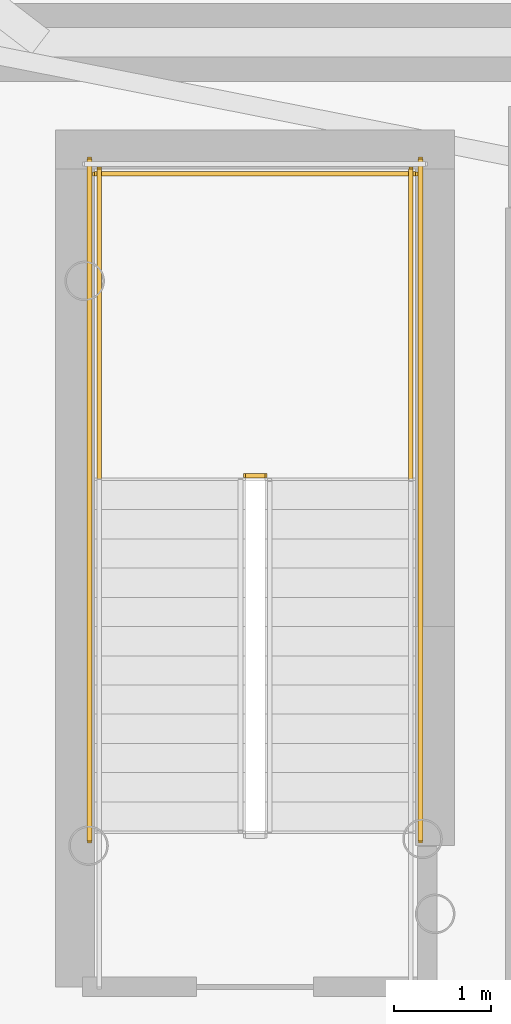
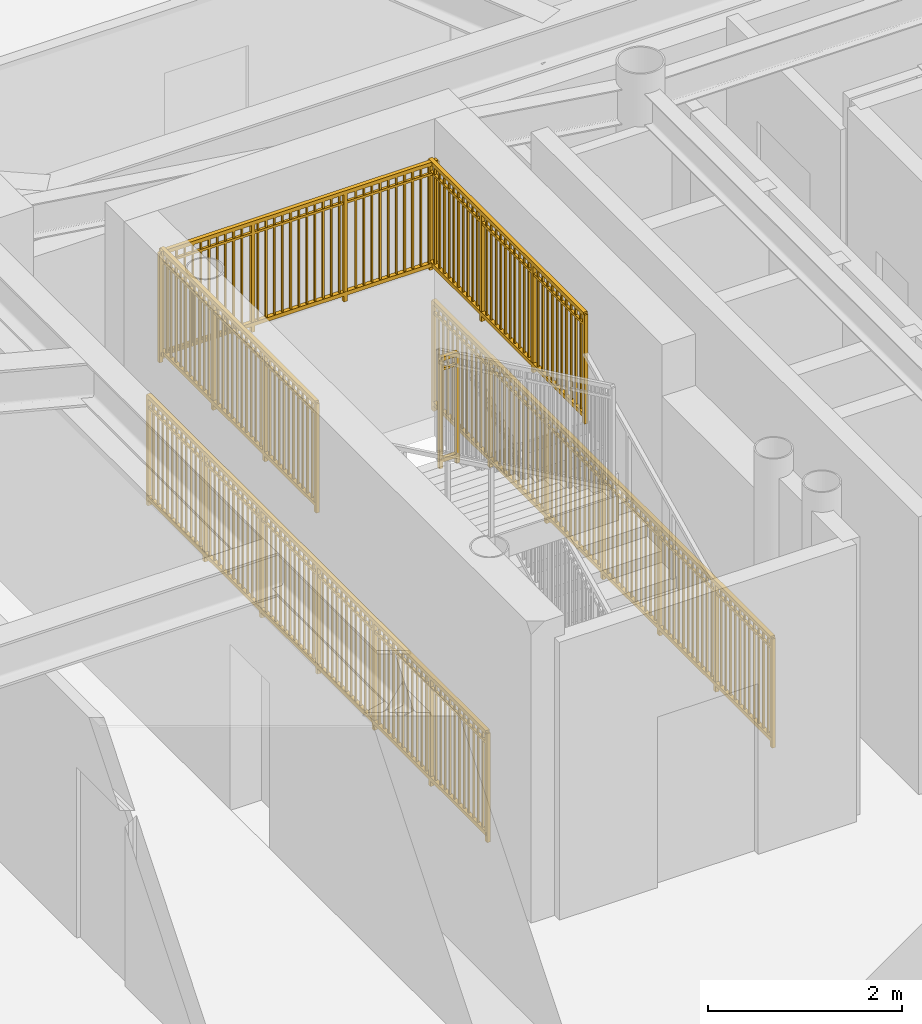
# One storey, part 17 of 21: 6 railings.
"""IFC4 building model written with IfcOpenShell, lengths in metres."""

from ifc_helpers import new_model, si_unit, direction, frame, origin, origin_2d, place, context, subcontext, project, spatial, rectangle, extrude, source, transform, mapped, material, type_object, element, save


model = new_model("IFC4")

# Units and contexts
model_context = context("Model", 3, precision=1e-05, world=origin(), true_north=direction((0.0, 1.0)))
body_context = subcontext(model_context, "Body", "Model", "MODEL_VIEW")
ifc_project = project(units=[si_unit("LENGTHUNIT", "METRE"), si_unit("AREAUNIT", "SQUARE_METRE"), si_unit("VOLUMEUNIT", "CUBIC_METRE"), si_unit("PLANEANGLEUNIT", "RADIAN"), si_unit("MASSUNIT", "GRAM", prefix="KILO")], contexts=[model_context])

# Site, building, storey
site_placement = place(None, origin())
site = spatial("IfcSite", under=ifc_project, at=site_placement, CompositionType="ELEMENT")
building_placement = place(site_placement, origin())
building = spatial("IfcBuilding", under=site, at=building_placement, Name="Linh Dai School and Residence Tower", CompositionType="ELEMENT")
storey_placement = place(building_placement, frame((0.0, 0.0, 97.199951171875)))
storey = spatial("IfcBuildingStorey", under=building, at=storey_placement, Name="L22", CompositionType="ELEMENT", Elevation=97.199951171875)

# Railings
ifc_material = material(Name="Structural Steel S355JR", Category="steel")
railing_type = type_object("IfcRailingType", Name="RL-ST-GUARD-1400", PredefinedType="GUARDRAIL", material=ifc_material)
shared_shape_1 = source(origin(), body_context, "Body", "SweptSolid", [
    extrude(rectangle(XDim=0.048095703125, YDim=0.048095703125, at=origin_2d()), frame((0.0, 0.0, 1.3759765625), z_axis=(-1.0, 0.0, 0.0), x_axis=(0.0, -1.0, 0.0)), (0.0, 0.0, 1.0), 0.199951171875),
    extrude(rectangle(XDim=0.048095703125, YDim=0.048095703125, at=origin_2d()), frame((0.0, 0.0, 0.10009765625), z_axis=(-1.0, 0.0, 0.0), x_axis=(0.0, -1.0, 0.0)), (0.0, 0.0, 1.0), 0.199951171875),
    extrude(rectangle(XDim=0.030029296875, YDim=0.030029296875, at=origin_2d()), frame((0.0, 0.0, 1.239990234375), z_axis=(-1.0, 0.0, 0.0), x_axis=(0.0, -1.0, 0.0)), (0.0, 0.0, 1.0), 0.199951171875),
    extrude(rectangle(XDim=0.0419921875, YDim=0.0419921875, at=origin_2d()), origin(), (0.0, 0.0, 1.0), 1.3759765625),
    extrude(rectangle(XDim=0.0419921875, YDim=0.0419921875, at=origin_2d()), frame((-0.199951171875, 0.0, 0.0)), (0.0, 0.0, 1.0), 1.3759765625),
])
railing_1_placement = place(storey_placement, frame((29.429931640625, 29.35009765625, 1.875)))
element("IfcRailing", 1, at=railing_1_placement, inside=storey, type_object=railing_type, Name="L22 ST1 stair guard 2", PredefinedType="GUARDRAIL", context=body_context, shape_type="MappedRepresentation", body=[
    mapped(shared_shape_1, transform((0.0, 0.0, 0.0), x_axis=(1.0, 0.0, 0.0), y_axis=(0.0, 1.0, 0.0), z_axis=(0.0, 0.0, 1.0), scale=1.0)),
])
shared_shape_2 = source(origin(), body_context, "Body", "SweptSolid", [
    extrude(rectangle(XDim=0.048095703125, YDim=0.048095703125, at=origin_2d()), frame((0.0, 0.0, 1.3759765625), z_axis=(-1.0, 0.0, 0.0), x_axis=(0.0, -1.0, 0.0)), (0.0, 0.0, 1.0), 3.300048828125),
    extrude(rectangle(XDim=0.048095703125, YDim=0.048095703125, at=origin_2d()), frame((0.0, 0.0, 0.10009765625), z_axis=(-1.0, 0.0, 0.0), x_axis=(0.0, -1.0, 0.0)), (0.0, 0.0, 1.0), 3.300048828125),
    extrude(rectangle(XDim=0.030029296875, YDim=0.030029296875, at=origin_2d()), frame((0.0, 0.0, 1.239990234375), z_axis=(-1.0, 0.0, 0.0), x_axis=(0.0, -1.0, 0.0)), (0.0, 0.0, 1.0), 3.300048828125),
    extrude(rectangle(XDim=0.02001953125, YDim=0.02001953125, at=origin_2d()), frame((-0.09716796875, 0.0, 0.10009765625)), (0.0, 0.0, 1.0), 1.251708984375),
    extrude(rectangle(XDim=0.02001953125, YDim=0.02001953125, at=origin_2d()), frame((-0.194091796875, 0.0, 0.10009765625)), (0.0, 0.0, 1.0), 1.251708984375),
    extrude(rectangle(XDim=0.02001953125, YDim=0.02001953125, at=origin_2d()), frame((-0.291259765625, 0.0, 0.10009765625)), (0.0, 0.0, 1.0), 1.251708984375),
    extrude(rectangle(XDim=0.02001953125, YDim=0.02001953125, at=origin_2d()), frame((-0.38818359375, 0.0, 0.10009765625)), (0.0, 0.0, 1.0), 1.251708984375),
    extrude(rectangle(XDim=0.02001953125, YDim=0.02001953125, at=origin_2d()), frame((-0.4853515625, 0.0, 0.10009765625)), (0.0, 0.0, 1.0), 1.251708984375),
    extrude(rectangle(XDim=0.02001953125, YDim=0.02001953125, at=origin_2d()), frame((-0.582275390625, 0.0, 0.10009765625)), (0.0, 0.0, 1.0), 1.251708984375),
    extrude(rectangle(XDim=0.02001953125, YDim=0.02001953125, at=origin_2d()), frame((-0.679443359375, 0.0, 0.10009765625)), (0.0, 0.0, 1.0), 1.251708984375),
    extrude(rectangle(XDim=0.02001953125, YDim=0.02001953125, at=origin_2d()), frame((-0.7763671875, 0.0, 0.10009765625)), (0.0, 0.0, 1.0), 1.251708984375),
    extrude(rectangle(XDim=0.02001953125, YDim=0.02001953125, at=origin_2d()), frame((-0.87353515625, 0.0, 0.10009765625)), (0.0, 0.0, 1.0), 1.251708984375),
    extrude(rectangle(XDim=0.02001953125, YDim=0.02001953125, at=origin_2d()), frame((-0.970703125, 0.0, 0.10009765625)), (0.0, 0.0, 1.0), 1.251708984375),
    extrude(rectangle(XDim=0.02001953125, YDim=0.02001953125, at=origin_2d()), frame((-1.164794921875, 0.0, 0.10009765625)), (0.0, 0.0, 1.0), 1.251708984375),
    extrude(rectangle(XDim=0.02001953125, YDim=0.02001953125, at=origin_2d()), frame((-1.26171875, 0.0, 0.10009765625)), (0.0, 0.0, 1.0), 1.251708984375),
    extrude(rectangle(XDim=0.02001953125, YDim=0.02001953125, at=origin_2d()), frame((-1.35888671875, 0.0, 0.10009765625)), (0.0, 0.0, 1.0), 1.251708984375),
    extrude(rectangle(XDim=0.02001953125, YDim=0.02001953125, at=origin_2d()), frame((-1.455810546875, 0.0, 0.10009765625)), (0.0, 0.0, 1.0), 1.251708984375),
    extrude(rectangle(XDim=0.02001953125, YDim=0.02001953125, at=origin_2d()), frame((-1.552978515625, 0.0, 0.10009765625)), (0.0, 0.0, 1.0), 1.251708984375),
    extrude(rectangle(XDim=0.02001953125, YDim=0.02001953125, at=origin_2d()), frame((-1.64990234375, 0.0, 0.10009765625)), (0.0, 0.0, 1.0), 1.251708984375),
    extrude(rectangle(XDim=0.02001953125, YDim=0.02001953125, at=origin_2d()), frame((-1.7470703125, 0.0, 0.10009765625)), (0.0, 0.0, 1.0), 1.251708984375),
    extrude(rectangle(XDim=0.02001953125, YDim=0.02001953125, at=origin_2d()), frame((-1.84423828125, 0.0, 0.10009765625)), (0.0, 0.0, 1.0), 1.251708984375),
    extrude(rectangle(XDim=0.02001953125, YDim=0.02001953125, at=origin_2d()), frame((-1.941162109375, 0.0, 0.10009765625)), (0.0, 0.0, 1.0), 1.251708984375),
    extrude(rectangle(XDim=0.02001953125, YDim=0.02001953125, at=origin_2d()), frame((-2.038330078125, 0.0, 0.10009765625)), (0.0, 0.0, 1.0), 1.251708984375),
    extrude(rectangle(XDim=0.02001953125, YDim=0.02001953125, at=origin_2d()), frame((-2.13525390625, 0.0, 0.10009765625)), (0.0, 0.0, 1.0), 1.251708984375),
    extrude(rectangle(XDim=0.02001953125, YDim=0.02001953125, at=origin_2d()), frame((-2.329345703125, 0.0, 0.10009765625)), (0.0, 0.0, 1.0), 1.251708984375),
    extrude(rectangle(XDim=0.02001953125, YDim=0.02001953125, at=origin_2d()), frame((-2.426513671875, 0.0, 0.10009765625)), (0.0, 0.0, 1.0), 1.251708984375),
    extrude(rectangle(XDim=0.02001953125, YDim=0.02001953125, at=origin_2d()), frame((-2.523681640625, 0.0, 0.10009765625)), (0.0, 0.0, 1.0), 1.251708984375),
    extrude(rectangle(XDim=0.02001953125, YDim=0.02001953125, at=origin_2d()), frame((-2.62060546875, 0.0, 0.10009765625)), (0.0, 0.0, 1.0), 1.251708984375),
    extrude(rectangle(XDim=0.02001953125, YDim=0.02001953125, at=origin_2d()), frame((-2.7177734375, 0.0, 0.10009765625)), (0.0, 0.0, 1.0), 1.251708984375),
    extrude(rectangle(XDim=0.02001953125, YDim=0.02001953125, at=origin_2d()), frame((-2.814697265625, 0.0, 0.10009765625)), (0.0, 0.0, 1.0), 1.251708984375),
    extrude(rectangle(XDim=0.02001953125, YDim=0.02001953125, at=origin_2d()), frame((-2.911865234375, 0.0, 0.10009765625)), (0.0, 0.0, 1.0), 1.251708984375),
    extrude(rectangle(XDim=0.02001953125, YDim=0.02001953125, at=origin_2d()), frame((-3.0087890625, 0.0, 0.10009765625)), (0.0, 0.0, 1.0), 1.251708984375),
    extrude(rectangle(XDim=0.02001953125, YDim=0.02001953125, at=origin_2d()), frame((-3.10595703125, 0.0, 0.10009765625)), (0.0, 0.0, 1.0), 1.251708984375),
    extrude(rectangle(XDim=0.02001953125, YDim=0.02001953125, at=origin_2d()), frame((-3.202880859375, 0.0, 0.10009765625)), (0.0, 0.0, 1.0), 1.251708984375),
    extrude(rectangle(XDim=0.0419921875, YDim=0.0419921875, at=origin_2d()), origin(), (0.0, 0.0, 1.0), 1.3759765625),
    extrude(rectangle(XDim=0.0419921875, YDim=0.0419921875, at=origin_2d()), frame((-1.10009765625, 0.0, 0.0)), (0.0, 0.0, 1.0), 1.3759765625),
    extrude(rectangle(XDim=0.0419921875, YDim=0.0419921875, at=origin_2d()), frame((-2.199951171875, 0.0, 0.0)), (0.0, 0.0, 1.0), 1.3759765625),
    extrude(rectangle(XDim=0.0419921875, YDim=0.0419921875, at=origin_2d()), frame((-3.300048828125, 0.0, 0.0)), (0.0, 0.0, 1.0), 1.3759765625),
])
railing_2_placement = place(storey_placement, frame((30.97998046875, 32.449951171875, 1.875)))
element("IfcRailing", 2, at=railing_2_placement, inside=storey, type_object=railing_type, Name="L22 ST1 stair guard 5", PredefinedType="GUARDRAIL", context=body_context, shape_type="MappedRepresentation", body=[
    mapped(shared_shape_2, transform((0.0, 0.0, 0.0), x_axis=(1.0, 0.0, 0.0), y_axis=(0.0, 1.0, 0.0), z_axis=(0.0, 0.0, 1.0), scale=1.0)),
])
shared_shape_3 = source(origin(), body_context, "Body", "SweptSolid", [
    extrude(rectangle(XDim=0.048095703125, YDim=0.048095703125, at=origin_2d()), frame((0.0, 0.0, 1.3759765625), z_axis=(0.0, 1.0, 0.0), x_axis=(-1.0, 0.0, 0.0)), (0.0, 0.0, 1.0), 7.0),
    extrude(rectangle(XDim=0.048095703125, YDim=0.048095703125, at=origin_2d()), frame((0.0, 0.0, 0.10009765625), z_axis=(0.0, 1.0, 0.0), x_axis=(-1.0, 0.0, 0.0)), (0.0, 0.0, 1.0), 7.0),
    extrude(rectangle(XDim=0.030029296875, YDim=0.030029296875, at=origin_2d()), frame((0.0, 0.0, 1.239990234375), z_axis=(0.0, 1.0, 0.0), x_axis=(-1.0, 0.0, 0.0)), (0.0, 0.0, 1.0), 7.0),
    extrude(rectangle(XDim=0.02001953125, YDim=0.02001953125, at=origin_2d()), frame((0.0, 0.09716796875, 0.10009765625)), (0.0, 0.0, 1.0), 1.251708984375),
    extrude(rectangle(XDim=0.02001953125, YDim=0.02001953125, at=origin_2d()), frame((0.0, 0.1943359375, 0.10009765625)), (0.0, 0.0, 1.0), 1.251708984375),
    extrude(rectangle(XDim=0.02001953125, YDim=0.02001953125, at=origin_2d()), frame((0.0, 0.291748046875, 0.10009765625)), (0.0, 0.0, 1.0), 1.251708984375),
    extrude(rectangle(XDim=0.02001953125, YDim=0.02001953125, at=origin_2d()), frame((0.0, 0.388916015625, 0.10009765625)), (0.0, 0.0, 1.0), 1.251708984375),
    extrude(rectangle(XDim=0.02001953125, YDim=0.02001953125, at=origin_2d()), frame((0.0, 0.486083984375, 0.10009765625)), (0.0, 0.0, 1.0), 1.251708984375),
    extrude(rectangle(XDim=0.02001953125, YDim=0.02001953125, at=origin_2d()), frame((0.0, 0.583251953125, 0.10009765625)), (0.0, 0.0, 1.0), 1.251708984375),
    extrude(rectangle(XDim=0.02001953125, YDim=0.02001953125, at=origin_2d()), frame((0.0, 0.6806640625, 0.10009765625)), (0.0, 0.0, 1.0), 1.251708984375),
    extrude(rectangle(XDim=0.02001953125, YDim=0.02001953125, at=origin_2d()), frame((0.0, 0.77783203125, 0.10009765625)), (0.0, 0.0, 1.0), 1.251708984375),
    extrude(rectangle(XDim=0.02001953125, YDim=0.02001953125, at=origin_2d()), frame((0.0, 0.875, 0.10009765625)), (0.0, 0.0, 1.0), 1.251708984375),
    extrude(rectangle(XDim=0.02001953125, YDim=0.02001953125, at=origin_2d()), frame((0.0, 0.97216796875, 0.10009765625)), (0.0, 0.0, 1.0), 1.251708984375),
    extrude(rectangle(XDim=0.02001953125, YDim=0.02001953125, at=origin_2d()), frame((0.0, 1.0693359375, 0.10009765625)), (0.0, 0.0, 1.0), 1.251708984375),
    extrude(rectangle(XDim=0.02001953125, YDim=0.02001953125, at=origin_2d()), frame((0.0, 1.263916015625, 0.10009765625)), (0.0, 0.0, 1.0), 1.251708984375),
    extrude(rectangle(XDim=0.02001953125, YDim=0.02001953125, at=origin_2d()), frame((0.0, 1.361083984375, 0.10009765625)), (0.0, 0.0, 1.0), 1.251708984375),
    extrude(rectangle(XDim=0.02001953125, YDim=0.02001953125, at=origin_2d()), frame((0.0, 1.458251953125, 0.10009765625)), (0.0, 0.0, 1.0), 1.251708984375),
    extrude(rectangle(XDim=0.02001953125, YDim=0.02001953125, at=origin_2d()), frame((0.0, 1.5556640625, 0.10009765625)), (0.0, 0.0, 1.0), 1.251708984375),
    extrude(rectangle(XDim=0.02001953125, YDim=0.02001953125, at=origin_2d()), frame((0.0, 1.65283203125, 0.10009765625)), (0.0, 0.0, 1.0), 1.251708984375),
    extrude(rectangle(XDim=0.02001953125, YDim=0.02001953125, at=origin_2d()), frame((0.0, 1.75, 0.10009765625)), (0.0, 0.0, 1.0), 1.251708984375),
    extrude(rectangle(XDim=0.02001953125, YDim=0.02001953125, at=origin_2d()), frame((0.0, 1.84716796875, 0.10009765625)), (0.0, 0.0, 1.0), 1.251708984375),
    extrude(rectangle(XDim=0.02001953125, YDim=0.02001953125, at=origin_2d()), frame((0.0, 1.9443359375, 0.10009765625)), (0.0, 0.0, 1.0), 1.251708984375),
    extrude(rectangle(XDim=0.02001953125, YDim=0.02001953125, at=origin_2d()), frame((0.0, 2.041748046875, 0.10009765625)), (0.0, 0.0, 1.0), 1.251708984375),
    extrude(rectangle(XDim=0.02001953125, YDim=0.02001953125, at=origin_2d()), frame((0.0, 2.138916015625, 0.10009765625)), (0.0, 0.0, 1.0), 1.251708984375),
    extrude(rectangle(XDim=0.02001953125, YDim=0.02001953125, at=origin_2d()), frame((0.0, 2.236083984375, 0.10009765625)), (0.0, 0.0, 1.0), 1.251708984375),
    extrude(rectangle(XDim=0.02001953125, YDim=0.02001953125, at=origin_2d()), frame((0.0, 2.4306640625, 0.10009765625)), (0.0, 0.0, 1.0), 1.251708984375),
    extrude(rectangle(XDim=0.02001953125, YDim=0.02001953125, at=origin_2d()), frame((0.0, 2.52783203125, 0.10009765625)), (0.0, 0.0, 1.0), 1.251708984375),
    extrude(rectangle(XDim=0.02001953125, YDim=0.02001953125, at=origin_2d()), frame((0.0, 2.625, 0.10009765625)), (0.0, 0.0, 1.0), 1.251708984375),
    extrude(rectangle(XDim=0.02001953125, YDim=0.02001953125, at=origin_2d()), frame((0.0, 2.72216796875, 0.10009765625)), (0.0, 0.0, 1.0), 1.251708984375),
    extrude(rectangle(XDim=0.02001953125, YDim=0.02001953125, at=origin_2d()), frame((0.0, 2.8193359375, 0.10009765625)), (0.0, 0.0, 1.0), 1.251708984375),
    extrude(rectangle(XDim=0.02001953125, YDim=0.02001953125, at=origin_2d()), frame((0.0, 2.916748046875, 0.10009765625)), (0.0, 0.0, 1.0), 1.251708984375),
    extrude(rectangle(XDim=0.02001953125, YDim=0.02001953125, at=origin_2d()), frame((0.0, 3.013916015625, 0.10009765625)), (0.0, 0.0, 1.0), 1.251708984375),
    extrude(rectangle(XDim=0.02001953125, YDim=0.02001953125, at=origin_2d()), frame((0.0, 3.111083984375, 0.10009765625)), (0.0, 0.0, 1.0), 1.251708984375),
    extrude(rectangle(XDim=0.02001953125, YDim=0.02001953125, at=origin_2d()), frame((0.0, 3.208251953125, 0.10009765625)), (0.0, 0.0, 1.0), 1.251708984375),
    extrude(rectangle(XDim=0.02001953125, YDim=0.02001953125, at=origin_2d()), frame((0.0, 3.3056640625, 0.10009765625)), (0.0, 0.0, 1.0), 1.251708984375),
    extrude(rectangle(XDim=0.02001953125, YDim=0.02001953125, at=origin_2d()), frame((0.0, 3.40283203125, 0.10009765625)), (0.0, 0.0, 1.0), 1.251708984375),
    extrude(rectangle(XDim=0.02001953125, YDim=0.02001953125, at=origin_2d()), frame((0.0, 3.59716796875, 0.10009765625)), (0.0, 0.0, 1.0), 1.251708984375),
    extrude(rectangle(XDim=0.02001953125, YDim=0.02001953125, at=origin_2d()), frame((0.0, 3.6943359375, 0.10009765625)), (0.0, 0.0, 1.0), 1.251708984375),
    extrude(rectangle(XDim=0.02001953125, YDim=0.02001953125, at=origin_2d()), frame((0.0, 3.791748046875, 0.10009765625)), (0.0, 0.0, 1.0), 1.251708984375),
    extrude(rectangle(XDim=0.02001953125, YDim=0.02001953125, at=origin_2d()), frame((0.0, 3.888916015625, 0.10009765625)), (0.0, 0.0, 1.0), 1.251708984375),
    extrude(rectangle(XDim=0.02001953125, YDim=0.02001953125, at=origin_2d()), frame((0.0, 3.986083984375, 0.10009765625)), (0.0, 0.0, 1.0), 1.251708984375),
    extrude(rectangle(XDim=0.02001953125, YDim=0.02001953125, at=origin_2d()), frame((0.0, 4.083251953125, 0.10009765625)), (0.0, 0.0, 1.0), 1.251708984375),
    extrude(rectangle(XDim=0.02001953125, YDim=0.02001953125, at=origin_2d()), frame((0.0, 4.1806640625, 0.10009765625)), (0.0, 0.0, 1.0), 1.251708984375),
    extrude(rectangle(XDim=0.02001953125, YDim=0.02001953125, at=origin_2d()), frame((0.0, 4.27783203125, 0.10009765625)), (0.0, 0.0, 1.0), 1.251708984375),
    extrude(rectangle(XDim=0.02001953125, YDim=0.02001953125, at=origin_2d()), frame((0.0, 4.375, 0.10009765625)), (0.0, 0.0, 1.0), 1.251708984375),
    extrude(rectangle(XDim=0.02001953125, YDim=0.02001953125, at=origin_2d()), frame((0.0, 4.47216796875, 0.10009765625)), (0.0, 0.0, 1.0), 1.251708984375),
    extrude(rectangle(XDim=0.02001953125, YDim=0.02001953125, at=origin_2d()), frame((0.0, 4.5693359375, 0.10009765625)), (0.0, 0.0, 1.0), 1.251708984375),
    extrude(rectangle(XDim=0.02001953125, YDim=0.02001953125, at=origin_2d()), frame((0.0, 4.763916015625, 0.10009765625)), (0.0, 0.0, 1.0), 1.251708984375),
    extrude(rectangle(XDim=0.02001953125, YDim=0.02001953125, at=origin_2d()), frame((0.0, 4.861083984375, 0.10009765625)), (0.0, 0.0, 1.0), 1.251708984375),
    extrude(rectangle(XDim=0.02001953125, YDim=0.02001953125, at=origin_2d()), frame((0.0, 4.958251953125, 0.10009765625)), (0.0, 0.0, 1.0), 1.251708984375),
    extrude(rectangle(XDim=0.02001953125, YDim=0.02001953125, at=origin_2d()), frame((0.0, 5.0556640625, 0.10009765625)), (0.0, 0.0, 1.0), 1.251708984375),
    extrude(rectangle(XDim=0.02001953125, YDim=0.02001953125, at=origin_2d()), frame((0.0, 5.15283203125, 0.10009765625)), (0.0, 0.0, 1.0), 1.251708984375),
    extrude(rectangle(XDim=0.02001953125, YDim=0.02001953125, at=origin_2d()), frame((0.0, 5.25, 0.10009765625)), (0.0, 0.0, 1.0), 1.251708984375),
    extrude(rectangle(XDim=0.02001953125, YDim=0.02001953125, at=origin_2d()), frame((0.0, 5.34716796875, 0.10009765625)), (0.0, 0.0, 1.0), 1.251708984375),
    extrude(rectangle(XDim=0.02001953125, YDim=0.02001953125, at=origin_2d()), frame((0.0, 5.4443359375, 0.10009765625)), (0.0, 0.0, 1.0), 1.251708984375),
    extrude(rectangle(XDim=0.02001953125, YDim=0.02001953125, at=origin_2d()), frame((0.0, 5.541748046875, 0.10009765625)), (0.0, 0.0, 1.0), 1.251708984375),
    extrude(rectangle(XDim=0.02001953125, YDim=0.02001953125, at=origin_2d()), frame((0.0, 5.638916015625, 0.10009765625)), (0.0, 0.0, 1.0), 1.251708984375),
    extrude(rectangle(XDim=0.02001953125, YDim=0.02001953125, at=origin_2d()), frame((0.0, 5.736083984375, 0.10009765625)), (0.0, 0.0, 1.0), 1.251708984375),
    extrude(rectangle(XDim=0.02001953125, YDim=0.02001953125, at=origin_2d()), frame((0.0, 5.9306640625, 0.10009765625)), (0.0, 0.0, 1.0), 1.251708984375),
    extrude(rectangle(XDim=0.02001953125, YDim=0.02001953125, at=origin_2d()), frame((0.0, 6.02783203125, 0.10009765625)), (0.0, 0.0, 1.0), 1.251708984375),
    extrude(rectangle(XDim=0.02001953125, YDim=0.02001953125, at=origin_2d()), frame((0.0, 6.125, 0.10009765625)), (0.0, 0.0, 1.0), 1.251708984375),
    extrude(rectangle(XDim=0.02001953125, YDim=0.02001953125, at=origin_2d()), frame((0.0, 6.22216796875, 0.10009765625)), (0.0, 0.0, 1.0), 1.251708984375),
    extrude(rectangle(XDim=0.02001953125, YDim=0.02001953125, at=origin_2d()), frame((0.0, 6.3193359375, 0.10009765625)), (0.0, 0.0, 1.0), 1.251708984375),
    extrude(rectangle(XDim=0.02001953125, YDim=0.02001953125, at=origin_2d()), frame((0.0, 6.416748046875, 0.10009765625)), (0.0, 0.0, 1.0), 1.251708984375),
    extrude(rectangle(XDim=0.02001953125, YDim=0.02001953125, at=origin_2d()), frame((0.0, 6.513916015625, 0.10009765625)), (0.0, 0.0, 1.0), 1.251708984375),
    extrude(rectangle(XDim=0.02001953125, YDim=0.02001953125, at=origin_2d()), frame((0.0, 6.611083984375, 0.10009765625)), (0.0, 0.0, 1.0), 1.251708984375),
    extrude(rectangle(XDim=0.02001953125, YDim=0.02001953125, at=origin_2d()), frame((0.0, 6.708251953125, 0.10009765625)), (0.0, 0.0, 1.0), 1.251708984375),
    extrude(rectangle(XDim=0.02001953125, YDim=0.02001953125, at=origin_2d()), frame((0.0, 6.8056640625, 0.10009765625)), (0.0, 0.0, 1.0), 1.251708984375),
    extrude(rectangle(XDim=0.02001953125, YDim=0.02001953125, at=origin_2d()), frame((0.0, 6.90283203125, 0.10009765625)), (0.0, 0.0, 1.0), 1.251708984375),
    extrude(rectangle(XDim=0.0419921875, YDim=0.0419921875, at=origin_2d()), origin(), (0.0, 0.0, 1.0), 1.3759765625),
    extrude(rectangle(XDim=0.0419921875, YDim=0.0419921875, at=origin_2d()), frame((0.0, 1.166748046875, 0.0)), (0.0, 0.0, 1.0), 1.3759765625),
    extrude(rectangle(XDim=0.0419921875, YDim=0.0419921875, at=origin_2d()), frame((0.0, 2.333251953125, 0.0)), (0.0, 0.0, 1.0), 1.3759765625),
    extrude(rectangle(XDim=0.0419921875, YDim=0.0419921875, at=origin_2d()), frame((0.0, 3.5, 0.0)), (0.0, 0.0, 1.0), 1.3759765625),
    extrude(rectangle(XDim=0.0419921875, YDim=0.0419921875, at=origin_2d()), frame((0.0, 4.666748046875, 0.0)), (0.0, 0.0, 1.0), 1.3759765625),
    extrude(rectangle(XDim=0.0419921875, YDim=0.0419921875, at=origin_2d()), frame((0.0, 5.833251953125, 0.0)), (0.0, 0.0, 1.0), 1.3759765625),
    extrude(rectangle(XDim=0.0419921875, YDim=0.0419921875, at=origin_2d()), frame((0.0, 7.0, 0.0)), (0.0, 0.0, 1.0), 1.3759765625),
])
for number, where, name in (
    (3, (31.030029296875, 25.60009765625, 0.0), "L22 ST1 stair guard 10"),
    (4, (27.6298828125, 25.60009765625, 0.0), "L22 ST1 stair guard 11"),
):
    element("IfcRailing", number, at=place(storey_placement, frame(where)), inside=storey, type_object=railing_type, Name=name, PredefinedType="GUARDRAIL", context=body_context, shape_type="MappedRepresentation", body=[
        mapped(shared_shape_3, transform((0.0, 0.0, 0.0), x_axis=(1.0, 0.0, 0.0), y_axis=(0.0, 1.0, 0.0), z_axis=(0.0, 0.0, 1.0), scale=1.0)),
    ])
shared_shape_4 = source(origin(), body_context, "Body", "SweptSolid", [
    extrude(rectangle(XDim=0.048095703125, YDim=0.048095703125, at=origin_2d()), frame((0.0, 0.0, 1.3759765625), z_axis=(0.0, 1.0, 0.0), x_axis=(-1.0, 0.0, 0.0)), (0.0, 0.0, 1.0), 3.199951171875),
    extrude(rectangle(XDim=0.048095703125, YDim=0.048095703125, at=origin_2d()), frame((0.0, 0.0, 0.10009765625), z_axis=(0.0, 1.0, 0.0), x_axis=(-1.0, 0.0, 0.0)), (0.0, 0.0, 1.0), 3.199951171875),
    extrude(rectangle(XDim=0.030029296875, YDim=0.030029296875, at=origin_2d()), frame((0.0, 0.0, 1.239990234375), z_axis=(0.0, 1.0, 0.0), x_axis=(-1.0, 0.0, 0.0)), (0.0, 0.0, 1.0), 3.199951171875),
    extrude(rectangle(XDim=0.02001953125, YDim=0.02001953125, at=origin_2d()), frame((0.0, 0.096923828125, 0.10009765625)), (0.0, 0.0, 1.0), 1.251708984375),
    extrude(rectangle(XDim=0.02001953125, YDim=0.02001953125, at=origin_2d()), frame((0.0, 0.19384765625, 0.10009765625)), (0.0, 0.0, 1.0), 1.251708984375),
    extrude(rectangle(XDim=0.02001953125, YDim=0.02001953125, at=origin_2d()), frame((0.0, 0.291015625, 0.10009765625)), (0.0, 0.0, 1.0), 1.251708984375),
    extrude(rectangle(XDim=0.02001953125, YDim=0.02001953125, at=origin_2d()), frame((0.0, 0.387939453125, 0.10009765625)), (0.0, 0.0, 1.0), 1.251708984375),
    extrude(rectangle(XDim=0.02001953125, YDim=0.02001953125, at=origin_2d()), frame((0.0, 0.48486328125, 0.10009765625)), (0.0, 0.0, 1.0), 1.251708984375),
    extrude(rectangle(XDim=0.02001953125, YDim=0.02001953125, at=origin_2d()), frame((0.0, 0.581787109375, 0.10009765625)), (0.0, 0.0, 1.0), 1.251708984375),
    extrude(rectangle(XDim=0.02001953125, YDim=0.02001953125, at=origin_2d()), frame((0.0, 0.6787109375, 0.10009765625)), (0.0, 0.0, 1.0), 1.251708984375),
    extrude(rectangle(XDim=0.02001953125, YDim=0.02001953125, at=origin_2d()), frame((0.0, 0.775634765625, 0.10009765625)), (0.0, 0.0, 1.0), 1.251708984375),
    extrude(rectangle(XDim=0.02001953125, YDim=0.02001953125, at=origin_2d()), frame((0.0, 0.872802734375, 0.10009765625)), (0.0, 0.0, 1.0), 1.251708984375),
    extrude(rectangle(XDim=0.02001953125, YDim=0.02001953125, at=origin_2d()), frame((0.0, 0.9697265625, 0.10009765625)), (0.0, 0.0, 1.0), 1.251708984375),
    extrude(rectangle(XDim=0.02001953125, YDim=0.02001953125, at=origin_2d()), frame((0.0, 1.16357421875, 0.10009765625)), (0.0, 0.0, 1.0), 1.251708984375),
    extrude(rectangle(XDim=0.02001953125, YDim=0.02001953125, at=origin_2d()), frame((0.0, 1.260498046875, 0.10009765625)), (0.0, 0.0, 1.0), 1.251708984375),
    extrude(rectangle(XDim=0.02001953125, YDim=0.02001953125, at=origin_2d()), frame((0.0, 1.357666015625, 0.10009765625)), (0.0, 0.0, 1.0), 1.251708984375),
    extrude(rectangle(XDim=0.02001953125, YDim=0.02001953125, at=origin_2d()), frame((0.0, 1.45458984375, 0.10009765625)), (0.0, 0.0, 1.0), 1.251708984375),
    extrude(rectangle(XDim=0.02001953125, YDim=0.02001953125, at=origin_2d()), frame((0.0, 1.551513671875, 0.10009765625)), (0.0, 0.0, 1.0), 1.251708984375),
    extrude(rectangle(XDim=0.02001953125, YDim=0.02001953125, at=origin_2d()), frame((0.0, 1.6484375, 0.10009765625)), (0.0, 0.0, 1.0), 1.251708984375),
    extrude(rectangle(XDim=0.02001953125, YDim=0.02001953125, at=origin_2d()), frame((0.0, 1.745361328125, 0.10009765625)), (0.0, 0.0, 1.0), 1.251708984375),
    extrude(rectangle(XDim=0.02001953125, YDim=0.02001953125, at=origin_2d()), frame((0.0, 1.84228515625, 0.10009765625)), (0.0, 0.0, 1.0), 1.251708984375),
    extrude(rectangle(XDim=0.02001953125, YDim=0.02001953125, at=origin_2d()), frame((0.0, 1.939453125, 0.10009765625)), (0.0, 0.0, 1.0), 1.251708984375),
    extrude(rectangle(XDim=0.02001953125, YDim=0.02001953125, at=origin_2d()), frame((0.0, 2.036376953125, 0.10009765625)), (0.0, 0.0, 1.0), 1.251708984375),
    extrude(rectangle(XDim=0.02001953125, YDim=0.02001953125, at=origin_2d()), frame((0.0, 2.230224609375, 0.10009765625)), (0.0, 0.0, 1.0), 1.251708984375),
    extrude(rectangle(XDim=0.02001953125, YDim=0.02001953125, at=origin_2d()), frame((0.0, 2.3271484375, 0.10009765625)), (0.0, 0.0, 1.0), 1.251708984375),
    extrude(rectangle(XDim=0.02001953125, YDim=0.02001953125, at=origin_2d()), frame((0.0, 2.42431640625, 0.10009765625)), (0.0, 0.0, 1.0), 1.251708984375),
    extrude(rectangle(XDim=0.02001953125, YDim=0.02001953125, at=origin_2d()), frame((0.0, 2.521240234375, 0.10009765625)), (0.0, 0.0, 1.0), 1.251708984375),
    extrude(rectangle(XDim=0.02001953125, YDim=0.02001953125, at=origin_2d()), frame((0.0, 2.6181640625, 0.10009765625)), (0.0, 0.0, 1.0), 1.251708984375),
    extrude(rectangle(XDim=0.02001953125, YDim=0.02001953125, at=origin_2d()), frame((0.0, 2.715087890625, 0.10009765625)), (0.0, 0.0, 1.0), 1.251708984375),
    extrude(rectangle(XDim=0.02001953125, YDim=0.02001953125, at=origin_2d()), frame((0.0, 2.81201171875, 0.10009765625)), (0.0, 0.0, 1.0), 1.251708984375),
    extrude(rectangle(XDim=0.02001953125, YDim=0.02001953125, at=origin_2d()), frame((0.0, 2.908935546875, 0.10009765625)), (0.0, 0.0, 1.0), 1.251708984375),
    extrude(rectangle(XDim=0.02001953125, YDim=0.02001953125, at=origin_2d()), frame((0.0, 3.006103515625, 0.10009765625)), (0.0, 0.0, 1.0), 1.251708984375),
    extrude(rectangle(XDim=0.02001953125, YDim=0.02001953125, at=origin_2d()), frame((0.0, 3.10302734375, 0.10009765625)), (0.0, 0.0, 1.0), 1.251708984375),
    extrude(rectangle(XDim=0.0419921875, YDim=0.0419921875, at=origin_2d()), origin(), (0.0, 0.0, 1.0), 1.3759765625),
    extrude(rectangle(XDim=0.0419921875, YDim=0.0419921875, at=origin_2d()), frame((0.0, 1.066650390625, 0.0)), (0.0, 0.0, 1.0), 1.3759765625),
    extrude(rectangle(XDim=0.0419921875, YDim=0.0419921875, at=origin_2d()), frame((0.0, 2.13330078125, 0.0)), (0.0, 0.0, 1.0), 1.3759765625),
    extrude(rectangle(XDim=0.0419921875, YDim=0.0419921875, at=origin_2d()), frame((0.0, 3.199951171875, 0.0)), (0.0, 0.0, 1.0), 1.3759765625),
])
for number, where, name in (
    (5, (30.929931640625, 29.300048828125, 1.875), "L22 ST1 stair guard 3"),
    (6, (27.72998046875, 29.300048828125, 1.875), "L22 ST1 stair guard 4"),
):
    element("IfcRailing", number, at=place(storey_placement, frame(where)), inside=storey, type_object=railing_type, Name=name, PredefinedType="GUARDRAIL", context=body_context, shape_type="MappedRepresentation", body=[
        mapped(shared_shape_4, transform((0.0, 0.0, 0.0), x_axis=(1.0, 0.0, 0.0), y_axis=(0.0, 1.0, 0.0), z_axis=(0.0, 0.0, 1.0), scale=1.0)),
    ])

save(model, "model.ifc")
